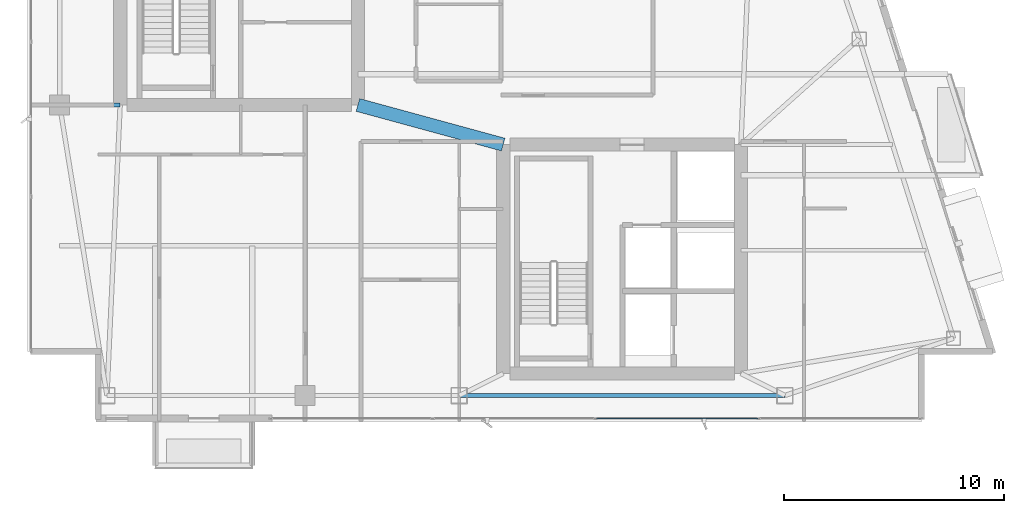
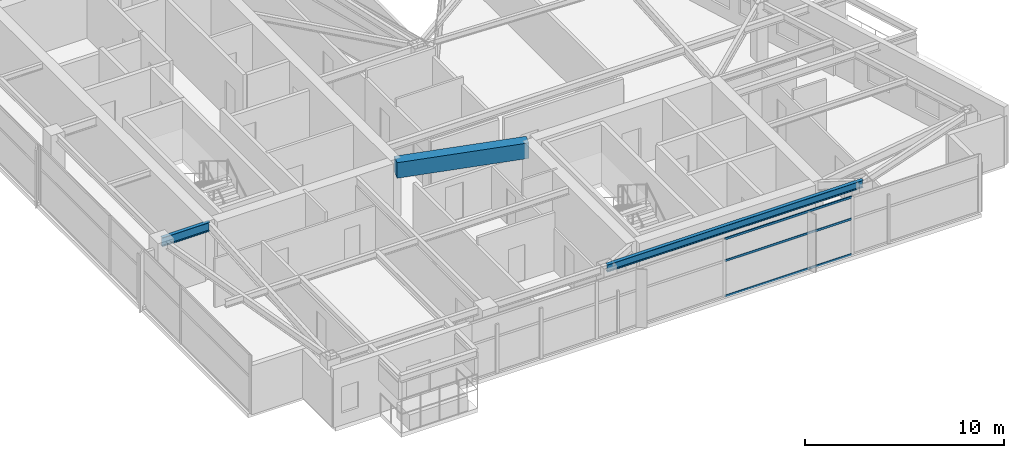
# One storey, part 8 of 28: 3 beams, 3 members, 1 element without a shape of its own.
"""IFC4 building model written with IfcOpenShell, lengths in metres."""

from ifc_helpers import new_model, si_unit, direction, frame, origin, origin_2d, place, context, subcontext, project, spatial, rectangle, hollow_rectangle, i_section, extrude, material, layer, layer_set, material_profile, profile_set, type_object, element, aggregate, save


model = new_model("IFC4")

# Units and contexts
model_context = context("Model", 3, precision=1e-05, world=origin(), true_north=direction((0.0, 1.0)))
body_context = subcontext(model_context, "Body", "Model", "MODEL_VIEW")
ifc_project = project(units=[si_unit("LENGTHUNIT", "METRE"), si_unit("AREAUNIT", "SQUARE_METRE"), si_unit("VOLUMEUNIT", "CUBIC_METRE"), si_unit("PLANEANGLEUNIT", "RADIAN"), si_unit("MASSUNIT", "GRAM", prefix="KILO")], contexts=[model_context])

# Site, building, storey
site_placement = place(None, origin())
site = spatial("IfcSite", under=ifc_project, at=site_placement, CompositionType="ELEMENT")
building_placement = place(site_placement, origin())
building = spatial("IfcBuilding", under=site, at=building_placement, Name="Calvorn Quay Hotel", CompositionType="ELEMENT")
storey_placement = place(building_placement, frame((0.0, 0.0, 271.10009765625)))
storey = spatial("IfcBuildingStorey", under=building, at=storey_placement, Name="L67", CompositionType="ELEMENT", Elevation=271.10009765625)

# Beams
ifc_material_1 = material(Name="Steel Q355B", Category="steel")
ifc_material_profile_1 = material_profile(ifc_material_1, i_section(OverallWidth=0.199951171875, OverallDepth=0.550048828125, WebThickness=0.010009765625, FlangeThickness=0.01611328125, FilletRadius=0.01806640625, at=origin_2d()), Name="HN550x200x10x16")
ifc_profile_set_1 = profile_set([ifc_material_profile_1], Name="Steel Q355B")
beam_type_1 = type_object("IfcBeamType", Name="BM-GIRD-UPP", PredefinedType="BEAM", material=ifc_profile_set_1)
beam_1_placement = place(storey_placement, frame((1.449951171875, 16.800048828125, 3.264892578125), z_axis=(1.0, 0.0, 0.0), x_axis=(0.0, 1.0, 0.0)))
element("IfcBeam", 1, at=beam_1_placement, inside=storey, type_object=beam_type_1, Name="Beam BG-L67-W1", PredefinedType="BEAM", context=body_context, shape_type="SweptSolid", body=[
    extrude(i_section(OverallWidth=0.199951171875, OverallDepth=0.550048828125, WebThickness=0.010009765625, FlangeThickness=0.01611328125, FilletRadius=0.01806640625, at=origin_2d()), origin(), (0.0, 0.0, 1.0), 2.75),
])
ifc_material_2 = material(Name="Concrete C45", Category="concrete")
ifc_material_profile_2 = material_profile(ifc_material_2, rectangle(XDim=0.60009765625, YDim=0.949951171875, at=origin_2d()), Name="RCB600x950")
ifc_profile_set_2 = profile_set([ifc_material_profile_2], Name="Concrete C45")
beam_type_2 = type_object("IfcBeamType", Name="BM-RC-LINK-600x950", PredefinedType="BEAM", material=ifc_profile_set_2)
beam_2_placement = place(storey_placement, frame((15.0, 16.800048828125, 3.06494140625), z_axis=(0.964762997686, -0.263120425462, 0.0), x_axis=(0.263120425462, 0.964762997686, 0.0)))
element("IfcBeam", 2, at=beam_2_placement, inside=storey, type_object=beam_type_2, Name="Beam BCL-L67-01", PredefinedType="BEAM", context=body_context, shape_type="SweptSolid", body=[
    extrude(rectangle(XDim=0.60009765625, YDim=0.949951171875, at=origin_2d()), origin(), (0.0, 0.0, 1.0), 6.841064453125),
])
ifc_material_3 = material(Name="Steel Q355B", Category="steel")
ifc_material_profile_3 = material_profile(ifc_material_3, i_section(OverallWidth=0.199951171875, OverallDepth=0.449951171875, WebThickness=0.009033203125, FlangeThickness=0.013916015625, FilletRadius=0.01611328125, at=origin_2d()), Name="HN450x200x9x14")
ifc_profile_set_3 = profile_set([ifc_material_profile_3], Name="Steel Q355B")
beam_type_3 = type_object("IfcBeamType", Name="BM-SPANDREL-Z3", PredefinedType="SPANDREL", material=ifc_profile_set_3)
beam_3_placement = place(storey_placement, frame((19.60009765625, 3.60009765625, 3.31494140625), z_axis=(1.0, 0.0, 0.0), x_axis=(0.0, 1.0, 0.0)))
element("IfcBeam", 3, at=beam_3_placement, inside=storey, type_object=beam_type_3, Name="Beam BSP-L67-S3", PredefinedType="SPANDREL", context=body_context, shape_type="SweptSolid", body=[
    extrude(i_section(OverallWidth=0.199951171875, OverallDepth=0.449951171875, WebThickness=0.009033203125, FlangeThickness=0.013916015625, FilletRadius=0.01611328125, at=origin_2d()), origin(), (0.0, 0.0, 1.0), 14.7998046875),
])

# Curtain wall, members
ifc_material_4 = material(Name="Champagne Bronze Anodised Aluminium and Low-E Glass", Category="aluminium")
ifc_layer = layer(ifc_material_4, 0.219970703125)
ifc_layer_set = layer_set([ifc_layer], Name="CW-SYS-Z4")
curtain_wall_type = type_object("IfcCurtainWallType", Name="CW-SYS-Z4", PredefinedType="NOTDEFINED", material=ifc_layer_set)
curtain_wall_placement = place(storey_placement, origin())
curtain_wall = element("IfcCurtainWall", 4, at=curtain_wall_placement, inside=storey, type_object=curtain_wall_type, Name="Tower South Waterfront Curtain Wall (L67)", PredefinedType="NOTDEFINED")
ifc_material_5 = material(Name="Champagne Bronze Anodised Aluminium 6063-T6", Category="aluminium")
ifc_material_profile_4 = material_profile(ifc_material_5, hollow_rectangle(XDim=0.054931640625, YDim=0.1298828125, WallThickness=0.003173828125, at=origin_2d()), Name="ALU-T130x55x3.2")
ifc_profile_set_4 = profile_set([ifc_material_profile_4], Name="Champagne Bronze Anodised Aluminium 6063-T6")
member_type = type_object("IfcMemberType", Name="CW-SYS-Z4-TRN", PredefinedType="USERDEFINED", material=ifc_profile_set_4)
member_1_placement = place(storey_placement, frame((25.830078125, 2.550048828125, 0.02978515625), z_axis=(1.0, 0.0, 0.0), x_axis=(0.0, 1.0, 0.0)))
member_1 = element("IfcMember", 5, at=member_1_placement, type_object=member_type, Name="CW-L67-S transom 3.1", ObjectType="TRANSOM", PredefinedType="USERDEFINED", context=body_context, shape_type="SweptSolid", body=[
    extrude(hollow_rectangle(XDim=0.054931640625, YDim=0.1298828125, WallThickness=0.003173828125, at=origin_2d()), origin(), (0.0, 0.0, 1.0), 7.33984375),
])
member_2_placement = place(storey_placement, frame((25.830078125, 2.550048828125, 2.199951171875), z_axis=(1.0, 0.0, 0.0), x_axis=(0.0, 1.0, 0.0)))
member_2 = element("IfcMember", 6, at=member_2_placement, type_object=member_type, Name="CW-L67-S transom 3.2", ObjectType="TRANSOM", PredefinedType="USERDEFINED", context=body_context, shape_type="SweptSolid", body=[
    extrude(hollow_rectangle(XDim=0.054931640625, YDim=0.1298828125, WallThickness=0.003173828125, at=origin_2d()), origin(), (0.0, 0.0, 1.0), 7.33984375),
])
member_3_placement = place(storey_placement, frame((25.830078125, 2.550048828125, 3.52978515625), z_axis=(1.0, 0.0, 0.0), x_axis=(0.0, 1.0, 0.0)))
member_3 = element("IfcMember", 7, at=member_3_placement, type_object=member_type, Name="CW-L67-S transom 3.3", ObjectType="TRANSOM", PredefinedType="USERDEFINED", context=body_context, shape_type="SweptSolid", body=[
    extrude(hollow_rectangle(XDim=0.054931640625, YDim=0.1298828125, WallThickness=0.003173828125, at=origin_2d()), origin(), (0.0, 0.0, 1.0), 7.33984375),
])
aggregate(curtain_wall, [member_1, member_2, member_3])

save(model, "model.ifc")
